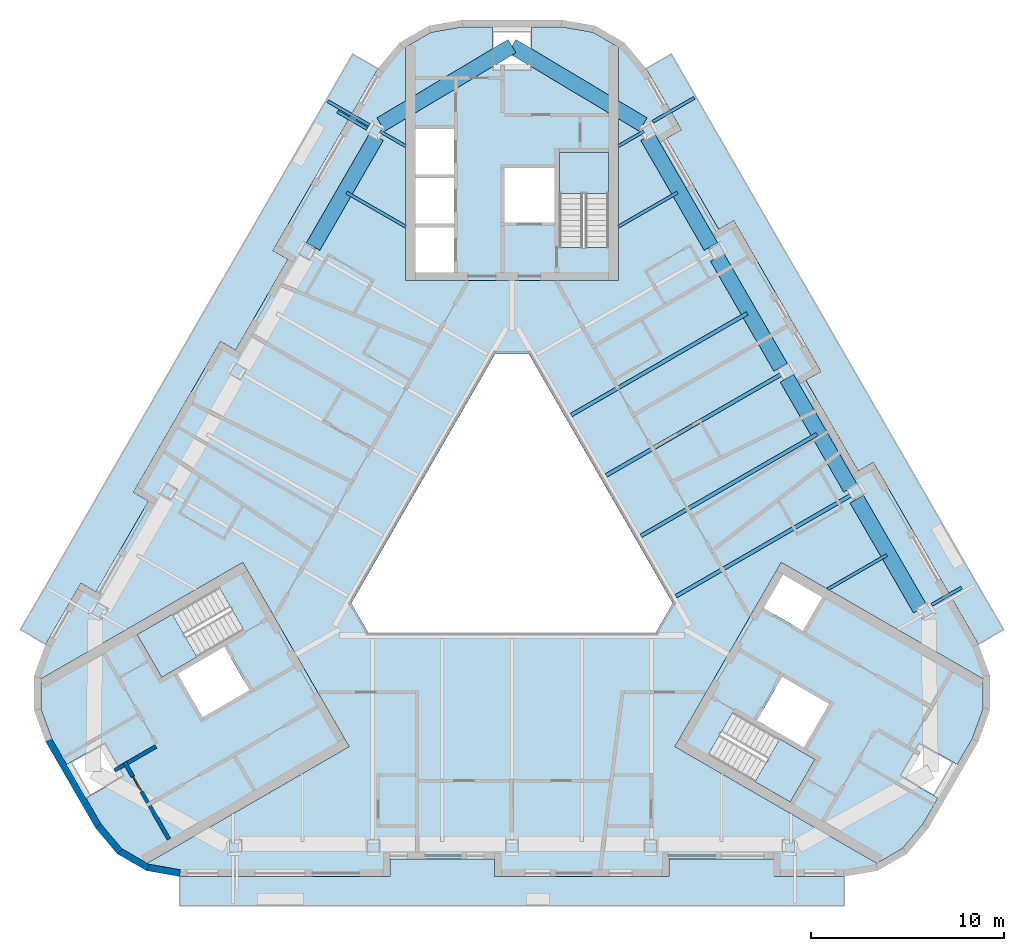
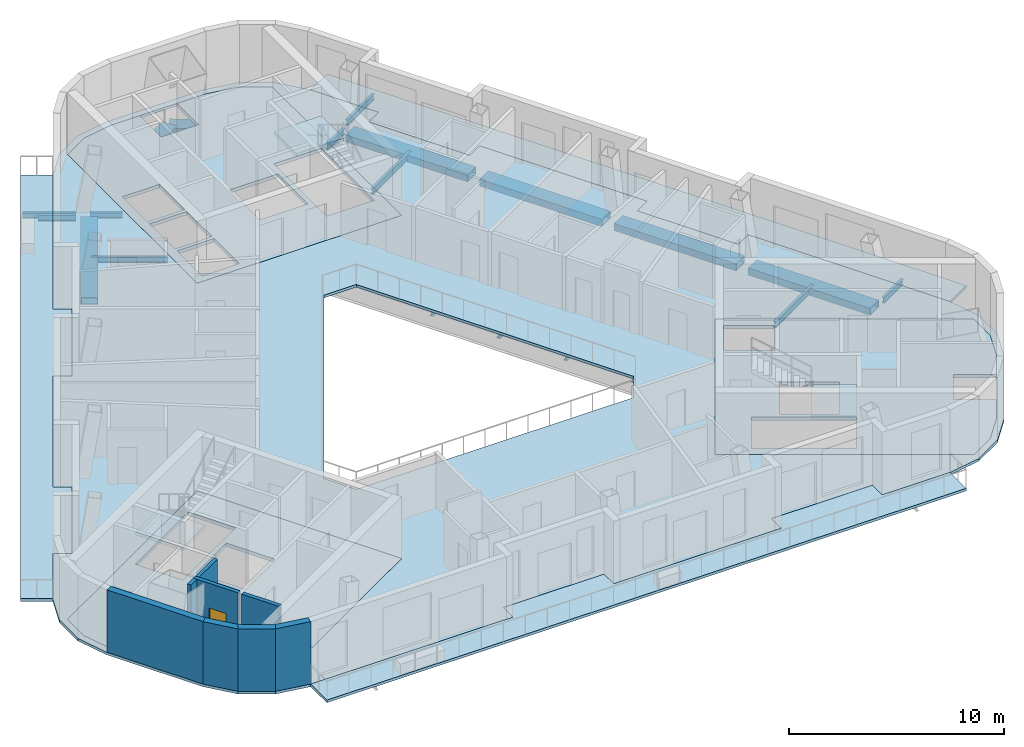
# One storey, part 2 of 13: 20 beams, 10 slabs, 8 walls, 1 door, 1 opening, 3 elements without a shape of their own.
"""IFC4 building model written with IfcOpenShell, lengths in metres."""

from ifc_helpers import new_model, si_unit, direction, frame, frame_2d, origin, origin_2d, place, context, subcontext, project, spatial, polyline, rectangle, hollow_rectangle, i_section, outline, extrude, material, layer, layer_set, material_profile, profile_set, type_object, element, fill, aggregate, save


model = new_model("IFC4")

# Units and contexts
model_context = context("Model", 3, precision=1e-05, world=origin(), true_north=direction((0.0, 1.0)))
body_context = subcontext(model_context, "Body", "Model", "MODEL_VIEW")
ifc_project = project(units=[si_unit("LENGTHUNIT", "METRE"), si_unit("AREAUNIT", "SQUARE_METRE"), si_unit("VOLUMEUNIT", "CUBIC_METRE"), si_unit("PLANEANGLEUNIT", "RADIAN"), si_unit("MASSUNIT", "GRAM", prefix="KILO")], contexts=[model_context])

# Site, building, storey
site_placement = place(None, origin())
site = spatial("IfcSite", under=ifc_project, at=site_placement, CompositionType="ELEMENT")
building_placement = place(site_placement, origin())
building = spatial("IfcBuilding", under=site, at=building_placement, Name="Apuvela Tower Hotel", CompositionType="ELEMENT")
storey_placement = place(building_placement, frame((0.0, 0.0, 287.39990234375)))
storey = spatial("IfcBuildingStorey", under=building, at=storey_placement, Name="L71", CompositionType="ELEMENT", Elevation=287.39990234375)

# Beams
ifc_material_1 = material(Name="Steel S355", Category="steel")
ifc_material_profile_1 = material_profile(ifc_material_1, i_section(OverallWidth=0.159912109375, OverallDepth=0.330078125, WebThickness=0.007568359375, FlangeThickness=0.011474609375, at=origin_2d()), Name="IPE 330")
ifc_profile_set_1 = profile_set([ifc_material_profile_1], Name="Steel S355")
beam_type_1 = type_object("IfcBeamType", Name="ENV-BALCONY-BEAM-IPE330", PredefinedType="BEAM", material=ifc_profile_set_1)
beam_1_placement = place(storey_placement, frame((21.701171875, -3.8798828125, -0.31494140625), z_axis=(0.866025242659, 0.500000279077, 0.0), x_axis=(-0.500000279077, 0.866025242659, 0.0)))
element("IfcBeam", 1, at=beam_1_placement, inside=storey, type_object=beam_type_1, Name="Balcony cantilever beam NE2 L71", PredefinedType="BEAM", context=body_context, shape_type="SweptSolid", body=[
    extrude(i_section(OverallWidth=0.159912109375, OverallDepth=0.330078125, WebThickness=0.007568359375, FlangeThickness=0.011474609375, at=origin_2d()), origin(), (0.0, 0.0, 1.0), 1.77490234375),
])
for number, where, z_axis, x_axis, name in (
    (2, (7.280517578125, 21.097412109375, -0.31494140625), (0.866006523861, 0.500032699561, 0.0), (-0.500032699561, 0.866006523861, 0.0), "Balcony cantilever beam NE3 L71"),
    (3, (-7.38037109375, 20.92431640625, -0.31494140625), (-0.86604923931, 0.499958713387, 0.0), (-0.499958713387, -0.86604923931, 0.0), "Balcony cantilever beam NW1 L71"),
):
    element("IfcBeam", number, at=place(storey_placement, frame(where, z_axis=z_axis, x_axis=x_axis)), inside=storey, type_object=beam_type_1, Name=name, PredefinedType="BEAM", context=body_context, shape_type="SweptSolid", body=[
        extrude(i_section(OverallWidth=0.159912109375, OverallDepth=0.330078125, WebThickness=0.007568359375, FlangeThickness=0.011474609375, at=origin_2d()), origin(), (0.0, 0.0, 1.0), 2.474853515625),
    ])
beam_2_placement = place(storey_placement, frame((-7.490478515625, 20.733642578125, -0.31494140625), z_axis=(-0.866025242659, 0.500000279077, 0.0), x_axis=(-0.500000279077, -0.866025242659, 0.0)))
element("IfcBeam", 4, at=beam_2_placement, inside=storey, type_object=beam_type_1, Name="Balcony cantilever beam NW2 L71", PredefinedType="BEAM", context=body_context, shape_type="SweptSolid", body=[
    extrude(i_section(OverallWidth=0.159912109375, OverallDepth=0.330078125, WebThickness=0.007568359375, FlangeThickness=0.011474609375, at=origin_2d()), origin(), (0.0, 0.0, 1.0), 1.77490234375),
])
ifc_material_profile_2 = material_profile(ifc_material_1, i_section(OverallWidth=0.159912109375, OverallDepth=0.330078125, WebThickness=0.007568359375, FlangeThickness=0.011474609375, at=origin_2d()), Name="IPE 330")
ifc_profile_set_2 = profile_set([ifc_material_profile_2], Name="Steel S355")
beam_type_2 = type_object("IfcBeamType", Name="STR-B floor beam IPE 330", PredefinedType="BEAM", material=ifc_profile_set_2)
for number, where, z_axis, x_axis, name in (
    (5, (19.37939453125, -1.30859375, -0.31494140625), (-0.866020851292, -0.500007885066, 0.0), (0.500007885066, -0.866020851292, 0.0), "Floor beam B1 NE2"),
    (6, (8.556396484375, 17.4375, -0.31494140625), (-0.866020851292, -0.500007885066, 0.0), (0.500007885066, -0.866020851292, 0.0), "Floor beam B1 NE8"),
):
    element("IfcBeam", number, at=place(storey_placement, frame(where, z_axis=z_axis, x_axis=x_axis)), inside=storey, type_object=beam_type_2, Name=name, PredefinedType="BEAM", context=body_context, shape_type="SweptSolid", body=[
        extrude(i_section(OverallWidth=0.159912109375, OverallDepth=0.330078125, WebThickness=0.007568359375, FlangeThickness=0.011474609375, at=origin_2d()), origin(), (0.0, 0.0, 1.0), 3.529296875),
    ])
for number, where, z_axis, x_axis, name in (
    (7, (6.8173828125, 20.59912109375, -0.31494140625), (-0.865982457891, -0.500074377092, 0.0), (0.500074377092, -0.865982457891, 0.0), "Floor beam B1 NE9"),
    (8, (-6.8173828125, 20.59912109375, -0.31494140625), (0.865982457891, -0.500074377092, 0.0), (0.500074377092, 0.865982457891, 0.0), "Floor beam B1 NW1"),
):
    element("IfcBeam", number, at=place(storey_placement, frame(where, z_axis=z_axis, x_axis=x_axis)), inside=storey, type_object=beam_type_2, Name=name, PredefinedType="BEAM", context=body_context, shape_type="SweptSolid", body=[
        extrude(i_section(OverallWidth=0.159912109375, OverallDepth=0.330078125, WebThickness=0.007568359375, FlangeThickness=0.011474609375, at=origin_2d()), origin(), (0.0, 0.0, 1.0), 1.521240234375),
    ])
beam_3_placement = place(storey_placement, frame((-8.556396484375, 17.4375, -0.31494140625), z_axis=(0.866020851292, -0.500007885066, 0.0), x_axis=(0.500007885066, 0.866020851292, 0.0)))
element("IfcBeam", 9, at=beam_3_placement, inside=storey, type_object=beam_type_2, Name="Floor beam B1 NW2", PredefinedType="BEAM", context=body_context, shape_type="SweptSolid", body=[
    extrude(i_section(OverallWidth=0.159912109375, OverallDepth=0.330078125, WebThickness=0.007568359375, FlangeThickness=0.011474609375, at=origin_2d()), origin(), (0.0, 0.0, 1.0), 3.529296875),
])
ifc_material_profile_3 = material_profile(ifc_material_1, i_section(OverallWidth=0.199951171875, OverallDepth=0.5, WebThickness=0.01025390625, FlangeThickness=0.01611328125, at=origin_2d()), Name="IPE 500")
ifc_profile_set_3 = profile_set([ifc_material_profile_3], Name="Steel S355")
beam_type_3 = type_object("IfcBeamType", Name="STR-B floor beam IPE 500", PredefinedType="BEAM", material=ifc_profile_set_3)
beam_4_placement = place(storey_placement, frame((17.640380859375, 1.853271484375, -0.39990234375), z_axis=(-0.866020021501, -0.500009322272, 0.0), x_axis=(0.500009322272, -0.866020021501, 0.0)))
element("IfcBeam", 10, at=beam_4_placement, inside=storey, type_object=beam_type_3, Name="Floor beam B3 NE3", PredefinedType="BEAM", context=body_context, shape_type="SweptSolid", body=[
    extrude(i_section(OverallWidth=0.199951171875, OverallDepth=0.5, WebThickness=0.01025390625, FlangeThickness=0.01611328125, at=origin_2d()), origin(), (0.0, 0.0, 1.0), 10.583740234375),
])
beam_5_placement = place(storey_placement, frame((15.771728515625, 4.93994140625, -0.39990234375), z_axis=(-0.866034316586, -0.499984562257, 0.0), x_axis=(0.499984562257, -0.866034316586, 0.0)))
element("IfcBeam", 11, at=beam_5_placement, inside=storey, type_object=beam_type_3, Name="Floor beam B3 NE4", PredefinedType="BEAM", context=body_context, shape_type="SweptSolid", body=[
    extrude(i_section(OverallWidth=0.199951171875, OverallDepth=0.5, WebThickness=0.01025390625, FlangeThickness=0.01611328125, at=origin_2d()), origin(), (0.0, 0.0, 1.0), 10.508544921875),
])
beam_6_placement = place(storey_placement, frame((14.03271484375, 8.101806640625, -0.39990234375), z_axis=(-0.866024243143, -0.500002010285, 0.0), x_axis=(0.500002010285, -0.866024243143, 0.0)))
element("IfcBeam", 12, at=beam_6_placement, inside=storey, type_object=beam_type_3, Name="Floor beam B3 NE5", PredefinedType="BEAM", context=body_context, shape_type="SweptSolid", body=[
    extrude(i_section(OverallWidth=0.199951171875, OverallDepth=0.5, WebThickness=0.01025390625, FlangeThickness=0.01611328125, at=origin_2d()), origin(), (0.0, 0.0, 1.0), 10.58349609375),
])
beam_7_placement = place(storey_placement, frame((12.1640625, 11.188720703125, -0.39990234375), z_axis=(-0.866024256809, -0.500001986615, 0.0), x_axis=(0.500001986615, -0.866024256809, 0.0)))
element("IfcBeam", 13, at=beam_7_placement, inside=storey, type_object=beam_type_3, Name="Floor beam B3 NE6", PredefinedType="BEAM", context=body_context, shape_type="SweptSolid", body=[
    extrude(i_section(OverallWidth=0.199951171875, OverallDepth=0.5, WebThickness=0.01025390625, FlangeThickness=0.01611328125, at=origin_2d()), origin(), (0.0, 0.0, 1.0), 10.5087890625),
])
ifc_material_2 = material(Name="Steel S460", Category="steel")
ifc_material_profile_4 = material_profile(ifc_material_2, hollow_rectangle(XDim=0.800048828125, YDim=0.39990234375, WallThickness=0.02490234375, at=origin_2d()), Name="BOX 800x400x25")
ifc_profile_set_4 = profile_set([ifc_material_profile_4], Name="Steel S460")
beam_type_4 = type_object("IfcBeamType", Name="STR-RB perimeter ring beam BOX 800x400x25", PredefinedType="SPANDREL", material=ifc_profile_set_4)
for number, where, z_axis, x_axis, name in (
    (14, (21.107421875, -4.1015625, -0.39990234375), (-0.500002498361, 0.86602396135, 0.0), (-0.86602396135, -0.500002498361, 0.0), "Ring beam RB1 NE1"),
    (15, (17.499755859375, 2.147216796875, -0.39990234375), (-0.500002498361, 0.86602396135, 0.0), (-0.86602396135, -0.500002498361, 0.0), "Ring beam RB1 NE2"),
    (16, (13.89208984375, 8.395751953125, -0.39990234375), (-0.500002498361, 0.86602396135, 0.0), (-0.86602396135, -0.500002498361, 0.0), "Ring beam RB1 NE3"),
):
    element("IfcBeam", number, at=place(storey_placement, frame(where, z_axis=z_axis, x_axis=x_axis)), inside=storey, type_object=beam_type_4, Name=name, PredefinedType="SPANDREL", context=body_context, shape_type="SweptSolid", body=[
        extrude(hollow_rectangle(XDim=0.800048828125, YDim=0.39990234375, WallThickness=0.02490234375, at=origin_2d()), origin(), (0.0, 0.0, 1.0), 6.5654296875),
    ])
for number, where, z_axis, x_axis, name in (
    (17, (10.2841796875, 14.64453125, -0.39990234375), (-0.499990710383, 0.866030767081, 0.0), (-0.866030767081, -0.499990710383, 0.0), "Ring beam RB1 NE4"),
    (18, (-7.001708984375, 20.330078125, -0.39990234375), (-0.499990710383, -0.866030767081, 0.0), (0.866030767081, -0.499990710383, 0.0), "Ring beam RB1 NW1"),
):
    element("IfcBeam", number, at=place(storey_placement, frame(where, z_axis=z_axis, x_axis=x_axis)), inside=storey, type_object=beam_type_4, Name=name, PredefinedType="SPANDREL", context=body_context, shape_type="SweptSolid", body=[
        extrude(hollow_rectangle(XDim=0.800048828125, YDim=0.39990234375, WallThickness=0.02490234375, at=origin_2d()), origin(), (0.0, 0.0, 1.0), 6.56494140625),
    ])
for number, where, z_axis, x_axis, name in (
    (19, (6.77978515625, 20.95263671875, -0.39990234375), (-0.858146625937, 0.51340468287, 0.0), (-0.51340468287, -0.858146625937, 0.0), "Ring beam RB1 NE5-N"),
    (20, (-6.77978515625, 20.95263671875, -0.39990234375), (0.858146625937, 0.51340468287, 0.0), (-0.51340468287, 0.858146625937, 0.0), "Ring beam RB1 NW1-N"),
):
    element("IfcBeam", number, at=place(storey_placement, frame(where, z_axis=z_axis, x_axis=x_axis)), inside=storey, type_object=beam_type_4, Name=name, PredefinedType="SPANDREL", context=body_context, shape_type="SweptSolid", body=[
        extrude(hollow_rectangle(XDim=0.800048828125, YDim=0.39990234375, WallThickness=0.02490234375, at=origin_2d()), origin(), (0.0, 0.0, 1.0), 7.900390625),
    ])

# Slabs
ifc_material_3 = material(Name="Concrete C50/60", Category="concrete")
ifc_layer_1 = layer(ifc_material_3, 0.199951171875)
ifc_layer_set_1 = layer_set([ifc_layer_1], Name="COR-FLOOR-200")
slab_type_1 = type_object("IfcSlabType", Name="COR-FLOOR-200", PredefinedType="FLOOR", material=ifc_layer_set_1)
slab_1_placement = place(storey_placement, frame((0.0, 0.0, -0.199951171875)))
element("IfcSlab", 21, at=slab_1_placement, inside=storey, type_object=slab_type_1, Name="Core floor N", PredefinedType="FLOOR", context=body_context, shape_type="SweptSolid", body=[
    extrude(outline(polyline([(5.5, 24.9599609375), (4.180419921875, 25.721923828125), (2.55322265625, 26.0087890625), (1.0, 26.0087890625), (1.0, 24.0087890625), (-1.0, 24.0087890625), (-1.0, 26.0087890625), (-2.55322265625, 26.0087890625), (-4.180419921875, 25.721923828125), (-5.5, 24.9599609375), (-5.5, 12.89990234375), (5.5, 12.89990234375), (5.5, 24.9599609375)]), holes=[polyline([(-3.0, 13.300048828125), (-5.0, 13.300048828125), (-5.0, 15.639892578125), (-3.0, 15.639892578125), (-3.0, 13.300048828125)]), polyline([(-3.0, 15.840087890625), (-5.0, 15.840087890625), (-5.0, 18.179931640625), (-3.0, 18.179931640625), (-3.0, 15.840087890625)]), polyline([(5.0, 14.60595703125), (2.449951171875, 14.60595703125), (2.449951171875, 19.5), (5.0, 19.5), (5.0, 14.60595703125)]), polyline([(2.199951171875, 18.699951171875), (2.199951171875, 15.89990234375), (-0.39990234375, 15.89990234375), (-0.39990234375, 18.699951171875), (2.199951171875, 18.699951171875)]), polyline([(-3.0, 20.719970703125), (-3.0, 18.3798828125), (-5.0, 18.3798828125), (-5.0, 20.719970703125), (-3.0, 20.719970703125)])]), origin(), (0.0, 0.0, 1.0), 0.199951171875),
])
slab_2_placement = place(storey_placement, frame((0.0, 0.0, -0.199951171875)))
element("IfcSlab", 22, at=slab_2_placement, inside=storey, type_object=slab_type_1, Name="Core floor SW", PredefinedType="FLOOR", context=body_context, shape_type="SweptSolid", body=[
    extrude(outline(polyline([(-24.365966796875, -7.716796875), (-24.365966796875, -9.240478515625), (-23.80078125, -10.793212890625), (-23.0244140625, -12.138427734375), (-21.292236328125, -11.138427734375), (-20.292236328125, -12.870361328125), (-22.0244140625, -13.870361328125), (-21.247802734375, -15.215576171875), (-20.185546875, -16.481201171875), (-18.865966796875, -17.2431640625), (-8.421630859375, -11.213134765625), (-13.921630859375, -1.68701171875), (-24.365966796875, -7.716796875)]), holes=[polyline([(-13.874267578125, -5.18115234375), (-18.112548828125, -7.628173828125), (-19.387451171875, -5.419921875), (-15.149169921875, -2.972900390625), (-13.874267578125, -5.18115234375)]), polyline([(-13.56982421875, -8.29638671875), (-15.99462890625, -9.6962890625), (-17.294677734375, -7.444580078125), (-14.869873046875, -6.044677734375), (-13.56982421875, -8.29638671875)])]), origin(), (0.0, 0.0, 1.0), 0.199951171875),
])
slab_3_placement = place(storey_placement, frame((0.0, 0.0, -0.199951171875)))
element("IfcSlab", 23, at=slab_3_placement, inside=storey, type_object=slab_type_1, Name="Core floor SE", PredefinedType="FLOOR", context=body_context, shape_type="SweptSolid", body=[
    extrude(outline(polyline([(18.865966796875, -17.2431640625), (20.185546875, -16.481201171875), (21.247802734375, -15.215576171875), (22.0244140625, -13.870361328125), (20.292236328125, -12.870361328125), (21.292236328125, -11.138427734375), (23.0244140625, -12.138427734375), (23.80078125, -10.793212890625), (24.365966796875, -9.240478515625), (24.365966796875, -7.716796875), (13.921630859375, -1.68701171875), (8.421630859375, -11.213134765625), (18.865966796875, -17.2431640625)]), holes=[polyline([(14.01806640625, -2.31982421875), (16.044677734375, -3.489990234375), (15.044677734375, -5.221923828125), (13.01806640625, -4.052001953125), (14.01806640625, -2.31982421875)]), polyline([(10.149169921875, -11.633056640625), (11.42431640625, -9.4248046875), (15.66259765625, -11.871826171875), (14.387451171875, -14.080078125), (10.149169921875, -11.633056640625)]), polyline([(12.669921875, -9.855224609375), (13.9697265625, -7.603515625), (16.394775390625, -9.003662109375), (15.0947265625, -11.25537109375), (12.669921875, -9.855224609375)])]), origin(), (0.0, 0.0, 1.0), 0.199951171875),
])

# Stair, slab
stair_type = type_object("IfcStairType", Name="COR-STAIR-22R", PredefinedType="HALF_TURN_STAIR", material=ifc_material_3)
stair_1_placement = place(storey_placement, origin())
stair_1 = element("IfcStair", 24, at=stair_1_placement, inside=storey, type_object=stair_type, Name="L71 Exit stair ST1", PredefinedType="HALF_TURN_STAIR")
ifc_layer_2 = layer(ifc_material_3, 0.199951171875)
ifc_layer_set_2 = layer_set([ifc_layer_2], Name="COR-LANDING-200")
slab_type_2 = type_object("IfcSlabType", Name="COR-LANDING-200", PredefinedType="LANDING", material=ifc_layer_set_2)
slab_4_placement = place(storey_placement, frame((0.0, 0.0, 1.650146484375)))
slab_4 = element("IfcSlab", 25, at=slab_4_placement, type_object=slab_type_2, Name="ST1 landing 1", PredefinedType="LANDING", context=body_context, shape_type="SweptSolid", body=[
    extrude(outline(polyline([(5.0, 17.39404296875), (5.0, 19.5), (2.449951171875, 19.5), (2.449951171875, 17.39404296875), (5.0, 17.39404296875)])), origin(), (0.0, 0.0, 1.0), 0.199951171875),
])
aggregate(stair_1, [slab_4])

stair_2_placement = place(storey_placement, origin())
stair_2 = element("IfcStair", 26, at=stair_2_placement, inside=storey, type_object=stair_type, Name="L71 Exit stair ST2", PredefinedType="HALF_TURN_STAIR")
slab_5_placement = place(storey_placement, frame((0.0, 0.0, 1.650146484375)))
slab_5 = element("IfcSlab", 27, at=slab_5_placement, type_object=slab_type_2, Name="ST2 landing 1", PredefinedType="LANDING", context=body_context, shape_type="SweptSolid", body=[
    extrude(outline(polyline([(-17.563720703125, -4.366943359375), (-19.387451171875, -5.419921875), (-18.112548828125, -7.628173828125), (-16.28857421875, -6.5751953125), (-17.563720703125, -4.366943359375)])), origin(), (0.0, 0.0, 1.0), 0.199951171875),
])
aggregate(stair_2, [slab_5])

stair_3_placement = place(storey_placement, origin())
stair_3 = element("IfcStair", 28, at=stair_3_placement, inside=storey, type_object=stair_type, Name="L71 Exit stair ST3", PredefinedType="HALF_TURN_STAIR")
slab_6_placement = place(storey_placement, frame((0.0, 0.0, 1.650146484375)))
slab_6 = element("IfcSlab", 29, at=slab_6_placement, type_object=slab_type_2, Name="ST3 landing 1", PredefinedType="LANDING", context=body_context, shape_type="SweptSolid", body=[
    extrude(outline(polyline([(12.563720703125, -13.027099609375), (14.387451171875, -14.080078125), (15.66259765625, -11.871826171875), (13.838623046875, -10.81884765625), (12.563720703125, -13.027099609375)])), origin(), (0.0, 0.0, 1.0), 0.199951171875),
])
aggregate(stair_3, [slab_6])

# Slabs
ifc_material_4 = material(Name="Concrete C40/50, fair-faced", Category="concrete")
ifc_layer_3 = layer(ifc_material_4, 0.14990234375)
ifc_layer_set_3 = layer_set([ifc_layer_3], Name="ENV-BALCONY-150")
slab_type_3 = type_object("IfcSlabType", Name="ENV-BALCONY-150", PredefinedType="FLOOR", material=ifc_layer_set_3)
slab_7_placement = place(storey_placement, frame((0.0, 0.0, -0.14990234375)))
element("IfcSlab", 30, at=slab_7_placement, inside=storey, type_object=slab_type_3, Name="Balcony slab S L71", PredefinedType="FLOOR", context=body_context, shape_type="SweptSolid", body=[
    extrude(outline(polyline([(17.190185546875, -19.43359375), (-17.190185546875, -19.43359375), (-17.190185546875, -17.923583984375), (-6.3203125, -17.923583984375), (-6.3203125, -17.023681640625), (-0.89501953125, -17.023681640625), (-0.89501953125, -17.923583984375), (8.1103515625, -17.923583984375), (8.1103515625, -17.023681640625), (13.53564453125, -17.023681640625), (13.53564453125, -17.923583984375), (17.190185546875, -17.923583984375), (17.190185546875, -19.43359375)])), origin(), (0.0, 0.0, 1.0), 0.14990234375),
])
slab_8_placement = place(storey_placement, frame((0.0, 0.0, -0.14990234375)))
element("IfcSlab", 31, at=slab_8_placement, inside=storey, type_object=slab_type_3, Name="Balcony slab NE L71", PredefinedType="FLOOR", context=body_context, shape_type="SweptSolid", body=[
    extrude(outline(polyline([(15.969970703125, 8.186767578125), (11.46728515625, 15.985595703125), (10.687744140625, 15.53564453125), (7.97509765625, 20.234130859375), (8.754638671875, 20.68408203125), (6.92724609375, 23.84912109375), (8.235107421875, 24.60400390625), (25.42529296875, -5.170166015625), (24.117431640625, -5.92529296875), (18.6826171875, 3.48828125), (17.9033203125, 3.038330078125), (15.1904296875, 7.73681640625), (15.969970703125, 8.186767578125)])), origin(), (0.0, 0.0, 1.0), 0.14990234375),
])
slab_9_placement = place(storey_placement, frame((0.0, 0.0, -0.14990234375)))
element("IfcSlab", 32, at=slab_9_placement, inside=storey, type_object=slab_type_3, Name="Balcony slab NW L71", PredefinedType="FLOOR", context=body_context, shape_type="SweptSolid", body=[
    extrude(outline(polyline([(-25.42529296875, -5.170166015625), (-8.235107421875, 24.60400390625), (-6.92724609375, 23.84912109375), (-12.3623046875, 14.435302734375), (-11.582763671875, 13.9853515625), (-14.29541015625, 9.287109375), (-15.074951171875, 9.737060546875), (-19.57763671875, 1.93798828125), (-18.798095703125, 1.488037109375), (-21.5107421875, -3.21044921875), (-22.290283203125, -2.760498046875), (-24.117431640625, -5.92529296875), (-25.42529296875, -5.170166015625)])), origin(), (0.0, 0.0, 1.0), 0.14990234375),
])
ifc_material_5 = material(Name="Concrete C35/45", Category="concrete")
ifc_layer_4 = layer(ifc_material_5, 0.14990234375)
ifc_layer_set_4 = layer_set([ifc_layer_4], Name="STR-SLAB 150 floor Concrete C35/45")
slab_type_4 = type_object("IfcSlabType", Name="STR-SLAB 150 floor Concrete C35/45", PredefinedType="FLOOR", material=ifc_layer_set_4)
slab_10_placement = place(storey_placement, frame((0.0, 0.0, -0.14990234375)))
element("IfcSlab", 33, at=slab_10_placement, inside=storey, type_object=slab_type_4, Name="Floor slab S4 L71", PredefinedType="FLOOR", context=body_context, shape_type="SweptSolid", body=[
    extrude(outline(polyline([(-5.812744140625, 25.18359375), (-4.302001953125, 26.055908203125), (-2.583740234375, 26.35888671875), (2.583740234375, 26.35888671875), (4.302001953125, 26.055908203125), (5.812744140625, 25.18359375), (6.93408203125, 23.84716796875), (8.761474609375, 20.682373046875), (7.98193359375, 20.232421875), (10.689697265625, 15.54248046875), (11.468994140625, 15.992431640625), (15.976806640625, 8.184814453125), (15.197265625, 7.73486328125), (17.905029296875, 3.045166015625), (18.684326171875, 3.4951171875), (24.119384765625, -5.91845703125), (24.716064453125, -7.557861328125), (24.716064453125, -9.302490234375), (24.119384765625, -10.941650390625), (21.535400390625, -15.4169921875), (20.4140625, -16.75341796875), (18.9033203125, -17.625732421875), (17.18505859375, -17.9287109375), (13.53076171875, -17.9287109375), (13.53076171875, -17.02880859375), (8.115478515625, -17.02880859375), (8.115478515625, -17.9287109375), (-0.89990234375, -17.9287109375), (-0.89990234375, -17.02880859375), (-6.315185546875, -17.02880859375), (-6.315185546875, -17.9287109375), (-17.18505859375, -17.9287109375), (-18.9033203125, -17.625732421875), (-20.4140625, -16.75341796875), (-21.535400390625, -15.4169921875), (-24.119384765625, -10.941650390625), (-24.716064453125, -9.302490234375), (-24.716064453125, -7.557861328125), (-24.119384765625, -5.91845703125), (-22.2919921875, -2.75341796875), (-21.5126953125, -3.20361328125), (-18.804931640625, 1.486328125), (-19.58447265625, 1.936279296875), (-15.07666015625, 9.743896484375), (-14.29736328125, 9.293701171875), (-11.589599609375, 13.983642578125), (-12.369140625, 14.43359375), (-6.93408203125, 23.84716796875), (-5.812744140625, 25.18359375)]), holes=[polyline([(0.865966796875, 9.10009765625), (-0.865966796875, 9.10009765625), (-8.313720703125, -3.800048828125), (-7.44775390625, -5.300048828125), (7.44775390625, -5.300048828125), (8.313720703125, -3.800048828125), (0.865966796875, 9.10009765625)]), polyline([(-5.5, 12.89990234375), (-5.5, 24.9599609375), (-4.180419921875, 25.721923828125), (-2.55322265625, 26.0087890625), (2.55322265625, 26.0087890625), (4.180419921875, 25.721923828125), (5.5, 24.9599609375), (5.5, 12.89990234375), (-5.5, 12.89990234375)]), polyline([(-8.421630859375, -11.213134765625), (-18.865966796875, -17.2431640625), (-20.185546875, -16.481201171875), (-21.247802734375, -15.215576171875), (-23.80078125, -10.793212890625), (-24.365966796875, -9.240478515625), (-24.365966796875, -7.716796875), (-13.921630859375, -1.68701171875), (-8.421630859375, -11.213134765625)]), polyline([(13.921630859375, -1.68701171875), (24.365966796875, -7.716796875), (24.365966796875, -9.240478515625), (23.80078125, -10.793212890625), (21.247802734375, -15.215576171875), (20.185546875, -16.481201171875), (18.865966796875, -17.2431640625), (8.421630859375, -11.213134765625), (13.921630859375, -1.68701171875)])]), origin(), (0.0, 0.0, 1.0), 0.14990234375),
])

# Wall, opening, door
ifc_layer_5 = layer(ifc_material_3, 0.199951171875)
ifc_layer_set_5 = layer_set([ifc_layer_5], Name="COR-WALL-SHAFT-200")
wall_type_1 = type_object("IfcWallType", Name="COR-WALL-SHAFT-200", PredefinedType="SHEAR", material=ifc_layer_set_5)
wall_1_placement = place(storey_placement, frame((-20.030517578125, -12.0263671875, 0.0), z_axis=(0.0, 0.0, 1.0), x_axis=(0.500033551112, -0.866006032174, 0.0)))
wall_1 = element("IfcWall", 34, at=wall_1_placement, inside=storey, type_object=wall_type_1, Name="Shaft wall SW", PredefinedType="SHEAR", context=body_context, shape_type="SweptSolid", body=[
    extrude(rectangle(XDim=2.400146484375, YDim=0.199951171875, at=frame_2d((1.2001953125, 0.0))), origin(), (0.0, 0.0, 1.0), 3.5),
])
opening_placement = place(wall_1_placement, frame((0.85009765625, 0.0, 0.0)))
opening = element("IfcOpeningElement", 35, at=opening_placement, cuts=wall_1, Name="Opening W-REP", PredefinedType="OPENING", context=body_context, shape_type="SweptSolid", body=[
    extrude(rectangle(XDim=0.89990234375, YDim=2.10009765625, at=frame_2d((0.449951171875, 1.050048828125))), frame((0.0, 0.10986328125, 0.0), z_axis=(0.0, -1.0, 0.0), x_axis=(1.0, 0.0, 0.0)), (0.0, 0.0, 1.0), 0.219970703125),
])
ifc_material_6 = material(Name="Steel fire door, powder coated", Category="steel")
door_type = type_object("IfcDoorType", Name="COR-DR-900", OperationType="NOTDEFINED", PredefinedType="DOOR", material=ifc_material_6)
door_placement = place(opening_placement, frame((0.89990234375, 0.0, 0.0), z_axis=(0.0, 0.0, 1.0), x_axis=(-1.0, 0.0, 0.0)))
door = element("IfcDoor", 36, at=door_placement, inside=storey, type_object=door_type, Name="Store door W-REP", OperationType="SINGLE_SWING_LEFT", OverallHeight=2.10009765625, OverallWidth=0.89990234375, PredefinedType="DOOR", context=body_context, shape_type="SweptSolid", body=[
    extrude(rectangle(XDim=0.89990234375, YDim=2.10009765625, at=frame_2d((0.449951171875, 1.050048828125))), frame((0.0, 0.02490234375, 0.0), z_axis=(0.0, -1.0, 0.0), x_axis=(1.0, 0.0, 0.0)), (0.0, 0.0, 1.0), 0.050048828125),
])
fill(opening, door)

# Walls
wall_2_placement = place(storey_placement, frame((-18.412841796875, -11.2080078125, 0.0), z_axis=(0.0, 0.0, 1.0), x_axis=(-0.866038183914, -0.499977863513, 0.0)))
element("IfcWall", 37, at=wall_2_placement, inside=storey, type_object=wall_type_1, Name="Shaft wall SW", PredefinedType="SHEAR", context=body_context, shape_type="SweptSolid", body=[
    extrude(rectangle(XDim=1.7099609375, YDim=0.199951171875, at=frame_2d((0.85498046875, 0.0))), origin(), (0.0, 0.0, 1.0), 3.5),
])
wall_3_placement = place(storey_placement, frame((-18.73046875, -14.278076171875, 0.0), z_axis=(0.0, 0.0, 1.0), x_axis=(0.50002537861, -0.866010750942, 0.0)))
element("IfcWall", 38, at=wall_3_placement, inside=storey, type_object=wall_type_1, Name="Shaft wall SW", PredefinedType="SHEAR", context=body_context, shape_type="SweptSolid", body=[
    extrude(rectangle(XDim=2.0, YDim=0.199951171875, at=frame_2d((1.0, 0.0))), origin(), (0.0, 0.0, 1.0), 3.5),
])
wall_4_placement = place(storey_placement, frame((-20.06689453125, -12.1630859375, 0.0), z_axis=(0.0, 0.0, 1.0), x_axis=(-0.866044851585, -0.499966313909, 0.0)))
element("IfcWall", 39, at=wall_4_placement, inside=storey, type_object=wall_type_1, Name="Shaft wall SW", PredefinedType="SHEAR", context=body_context, shape_type="SweptSolid", body=[
    extrude(rectangle(XDim=0.548828125, YDim=0.199951171875, at=frame_2d((0.2744140625, 0.0))), origin(), (0.0, 0.0, 1.0), 3.5),
])
ifc_material_7 = material(Name="Concrete C40/50, dark pigmented precast panel", Category="concrete")
ifc_layer_6 = layer(ifc_material_7, 0.35009765625)
ifc_layer_set_6 = layer_set([ifc_layer_6], Name="ENV-WALL-350")
wall_type_2 = type_object("IfcWallType", Name="ENV-WALL-350", PredefinedType="SOLIDWALL", material=ifc_layer_set_6)
wall_5_placement = place(storey_placement, frame((-23.9677734375, -10.854248046875, 0.0), z_axis=(0.0, 0.0, 1.0), x_axis=(0.500020983425, -0.866013288659, 0.0)))
element("IfcWall", 40, at=wall_5_placement, inside=storey, type_object=wall_type_2, Name="External wall L71-13", PredefinedType="SOLIDWALL", context=body_context, shape_type="SweptSolid", body=[
    extrude(rectangle(XDim=5.167724609375, YDim=0.35009765625, at=frame_2d((2.583984375, 0.0))), origin(), (0.0, 0.0, 1.0), 3.550048828125),
])
for number, where, z_axis, x_axis, name in (
    (41, (-21.4013671875, -15.3046875, 0.0), (0.0, 0.0, 1.0), (0.642768607723, -0.766060387258, 0.0), "External wall L71-14"),
    (42, (-20.32666015625, -16.60205078125, 0.0), (0.0, 0.0, 1.0), (0.86609937154, -0.499871862198, 0.0), "External wall L71-15"),
    (43, (-18.872802734375, -17.453369140625, 0.0), (0.0, 0.0, 1.0), (0.984803276474, -0.173673563465, 0.0), "External wall L71-16"),
):
    element("IfcWall", number, at=place(storey_placement, frame(where, z_axis=z_axis, x_axis=x_axis)), inside=storey, type_object=wall_type_2, Name=name, PredefinedType="SOLIDWALL", context=body_context, shape_type="SweptSolid", body=[
        extrude(rectangle(XDim=1.74462890625, YDim=0.35009765625, at=frame_2d((0.872314453125, 0.0))), origin(), (0.0, 0.0, 1.0), 3.550048828125),
    ])

save(model, "model.ifc")
